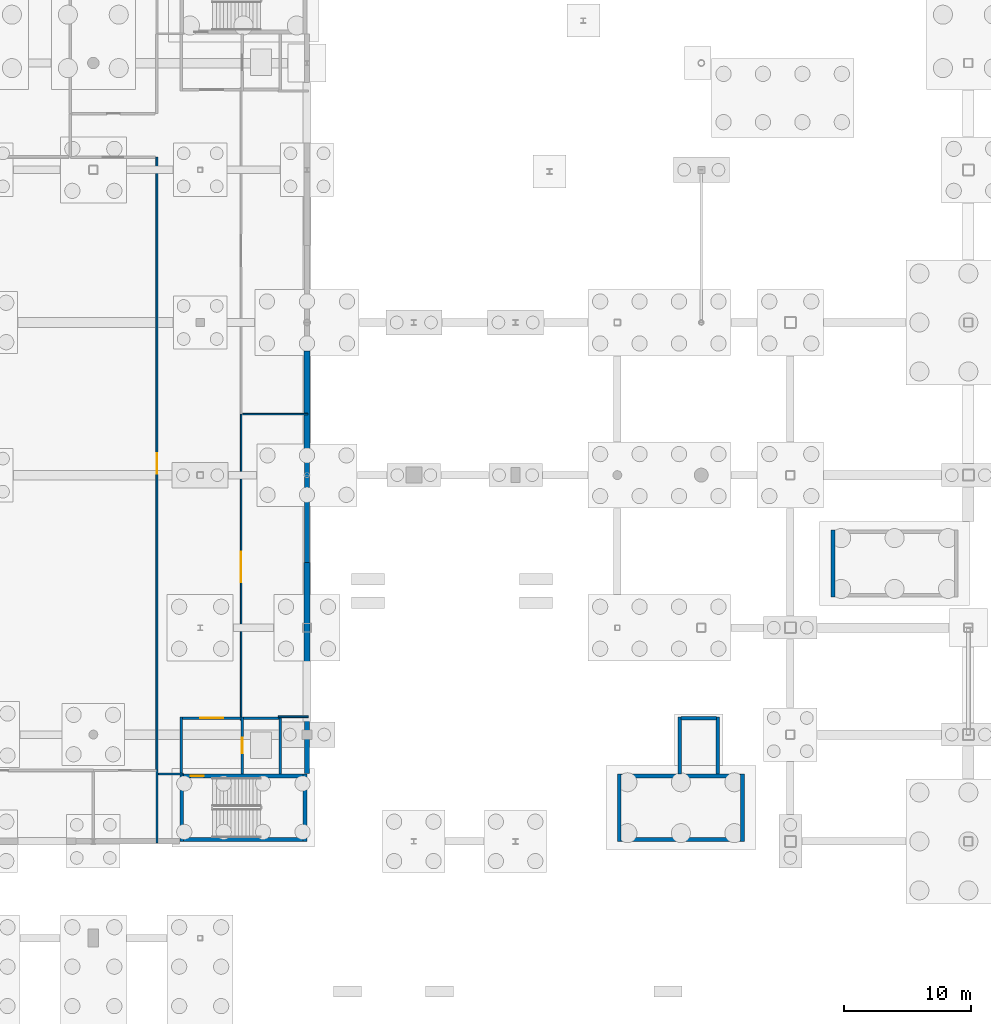
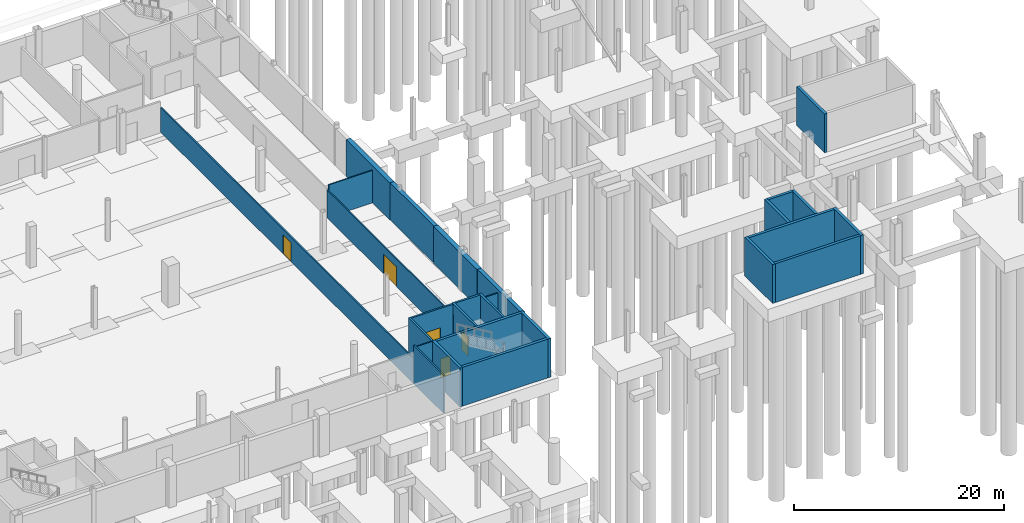
# One storey, part 26 of 34: 27 walls, 5 doors, 5 openings.
"""IFC4 building model written with IfcOpenShell, lengths in metres."""

from ifc_helpers import new_model, si_unit, direction, frame, frame_2d, origin, place, context, subcontext, project, spatial, rectangle, extrude, material, layer, layer_set, type_object, element, fill, save


model = new_model("IFC4")

# Units and contexts
model_context = context("Model", 3, precision=1e-05, world=origin(), true_north=direction((0.0, 1.0)))
body_context = subcontext(model_context, "Body", "Model", "MODEL_VIEW")
ifc_project = project(units=[si_unit("LENGTHUNIT", "METRE"), si_unit("AREAUNIT", "SQUARE_METRE"), si_unit("VOLUMEUNIT", "CUBIC_METRE"), si_unit("PLANEANGLEUNIT", "RADIAN"), si_unit("MASSUNIT", "GRAM", prefix="KILO")], contexts=[model_context])

# Site, building, storey
site_placement = place(None, origin())
site = spatial("IfcSite", under=ifc_project, at=site_placement, CompositionType="ELEMENT")
building_placement = place(site_placement, origin())
building = spatial("IfcBuilding", under=site, at=building_placement, Name="Larkvane Passage Sports Hall", CompositionType="ELEMENT")
storey_placement = place(building_placement, frame((0.0, 0.0, -4.800048828125)))
storey = spatial("IfcBuildingStorey", under=building, at=storey_placement, Name="B01", CompositionType="ELEMENT", Elevation=-4.800048828125)

# Walls
ifc_material_1 = material(Name="Concrete C50/60", Category="concrete")
ifc_layer_1 = layer(ifc_material_1, 0.300048828125)
ifc_layer_set_1 = layer_set([ifc_layer_1], Name="Concrete C50/60")
wall_type_1 = type_object("IfcWallType", Name="WL-CORE-300", PredefinedType="SHEAR", material=ifc_layer_set_1)
for number, where, z_axis, x_axis, name in (
    (1, (83.75, 22.800048828125, 0.0), (0.0, 0.0, 1.0), (0.0, 1.0, 0.0), "Core shear wall WAL-CORE-C4-B01-W"),
    (2, (93.449951171875, 28.10009765625, 0.0), (0.0, 0.0, 1.0), (0.0, -1.0, 0.0), "Core shear wall WAL-CORE-C4-B01-E"),
):
    element("IfcWall", number, at=place(storey_placement, frame(where, z_axis=z_axis, x_axis=x_axis)), inside=storey, type_object=wall_type_1, Name=name, PredefinedType="SHEAR", context=body_context, shape_type="SweptSolid", body=[
        extrude(rectangle(XDim=5.300048828125, YDim=0.300048828125, at=frame_2d((2.64990234375, 0.0))), origin(), (0.0, 0.0, 1.0), 4.510009765625),
    ])
wall_1_placement = place(storey_placement, frame((93.300048828125, 22.949951171875, 0.0), z_axis=(0.0, 0.0, 1.0), x_axis=(-1.0, 0.0, 0.0)))
element("IfcWall", 3, at=wall_1_placement, inside=storey, type_object=wall_type_1, Name="Core shear wall WAL-CORE-C4-B01-S", PredefinedType="SHEAR", context=body_context, shape_type="SweptSolid", body=[
    extrude(rectangle(XDim=9.400146484375, YDim=0.300048828125, at=frame_2d((4.7001953125, 0.0))), origin(), (0.0, 0.0, 1.0), 4.510009765625),
])

# Wall, opening, door
wall_2_placement = place(storey_placement, frame((83.89990234375, 27.949951171875, 0.0), z_axis=(0.0, 0.0, 1.0), x_axis=(1.0, 0.0, 0.0)))
wall_2 = element("IfcWall", 4, at=wall_2_placement, inside=storey, type_object=wall_type_1, Name="Core shear wall WAL-CORE-C4-B01-N", PredefinedType="SHEAR", context=body_context, shape_type="SweptSolid", body=[
    extrude(rectangle(XDim=9.400146484375, YDim=0.300048828125, at=frame_2d((4.7001953125, 0.0))), origin(), (0.0, 0.0, 1.0), 4.510009765625),
])
opening_1_placement = place(wall_2_placement, frame((0.550048828125, 0.0, 0.0)))
opening_1 = element("IfcOpeningElement", 5, at=opening_1_placement, cuts=wall_2, Name="Opening DF-01", PredefinedType="OPENING", context=body_context, shape_type="SweptSolid", body=[
    extrude(rectangle(XDim=1.050048828125, YDim=2.199951171875, at=frame_2d((0.52490234375, 1.10009765625))), frame((0.0, 0.159912109375, 0.0), z_axis=(0.0, -1.0, 0.0), x_axis=(1.0, 0.0, 0.0)), (0.0, 0.0, 1.0), 0.320068359375),
])
ifc_material_2 = material(Name="Steel S355JR smoke-sealed fire door", Category="steel")
door_type_1 = type_object("IfcDoorType", Name="DR-FIRE-1050", OperationType="NOTDEFINED", PredefinedType="DOOR", material=ifc_material_2)
door_1_placement = place(opening_1_placement, origin())
door_1 = element("IfcDoor", 6, at=door_1_placement, inside=storey, type_object=door_type_1, Name="Stair ST-04 B01 fire door", OperationType="SINGLE_SWING_LEFT", OverallHeight=2.199951171875, OverallWidth=1.050048828125, PredefinedType="DOOR", context=body_context, shape_type="SweptSolid", body=[
    extrude(rectangle(XDim=1.050048828125, YDim=2.199951171875, at=frame_2d((0.52490234375, 1.10009765625))), frame((0.0, 0.02490234375, 0.0), z_axis=(0.0, -1.0, 0.0), x_axis=(1.0, 0.0, 0.0)), (0.0, 0.0, 1.0), 0.050048828125),
])
fill(opening_1, door_1)

ifc_material_3 = material(Name="Concrete C40/50", Category="concrete")
ifc_layer_2 = layer(ifc_material_3, 0.199951171875)
ifc_layer_set_2 = layer_set([ifc_layer_2], Name="Concrete C40/50")
wall_type_2 = type_object("IfcWallType", Name="WL-LOBBY-200", PredefinedType="SOLIDWALL", material=ifc_layer_set_2)
wall_3_placement = place(storey_placement, frame((83.800048828125, 32.5, 0.0), z_axis=(0.0, 0.0, 1.0), x_axis=(1.0, 0.0, 0.0)))
wall_3 = element("IfcWall", 7, at=wall_3_placement, inside=storey, type_object=wall_type_2, Name="Protected stair lobby wall C4 B01", PredefinedType="SOLIDWALL", context=body_context, shape_type="SweptSolid", body=[
    extrude(rectangle(XDim=4.599853515625, YDim=0.199951171875, at=frame_2d((2.2998046875, 0.0))), origin(), (0.0, 0.0, 1.0), 4.449951171875),
])
opening_2_placement = place(wall_3_placement, frame((1.39990234375, 0.0, 0.0)))
opening_2 = element("IfcOpeningElement", 8, at=opening_2_placement, cuts=wall_3, Name="Opening DF-02", PredefinedType="OPENING", context=body_context, shape_type="SweptSolid", body=[
    extrude(rectangle(XDim=1.800048828125, YDim=2.199951171875, at=frame_2d((0.89990234375, 1.10009765625))), frame((0.0, 0.10986328125, 0.0), z_axis=(0.0, -1.0, 0.0), x_axis=(1.0, 0.0, 0.0)), (0.0, 0.0, 1.0), 0.219970703125),
])
ifc_material_4 = material(Name="Steel S355JR double smoke-sealed fire door", Category="steel")
door_type_2 = type_object("IfcDoorType", Name="DR-FIRE-1800", OperationType="DOUBLE_DOOR_SINGLE_SWING", PredefinedType="DOOR", material=ifc_material_4)
door_2_placement = place(opening_2_placement, origin())
door_2 = element("IfcDoor", 9, at=door_2_placement, inside=storey, type_object=door_type_2, Name="Lobby smoke door C4 B01", OperationType="DOUBLE_DOOR_SINGLE_SWING", OverallHeight=2.199951171875, OverallWidth=1.800048828125, PredefinedType="DOOR", context=body_context, shape_type="SweptSolid", body=[
    extrude(rectangle(XDim=1.800048828125, YDim=2.199951171875, at=frame_2d((0.89990234375, 1.10009765625))), frame((0.0, 0.02490234375, 0.0), z_axis=(0.0, -1.0, 0.0), x_axis=(1.0, 0.0, 0.0)), (0.0, 0.0, 1.0), 0.050048828125),
])
fill(opening_2, door_2)

# Walls
wall_4_placement = place(storey_placement, frame((83.699951171875, 28.10009765625, 0.0), z_axis=(0.0, 0.0, 1.0), x_axis=(0.0, 1.0, 0.0)))
element("IfcWall", 10, at=wall_4_placement, inside=storey, type_object=wall_type_2, Name="Lobby side wall C4 B01", PredefinedType="SOLIDWALL", context=body_context, shape_type="SweptSolid", body=[
    extrude(rectangle(XDim=4.5, YDim=0.199951171875, at=frame_2d((2.25, 0.0))), origin(), (0.0, 0.0, 1.0), 4.449951171875),
])
ifc_material_5 = material(Name="Gypsum twin-stud fire-rated partition")
ifc_layer_3 = layer(ifc_material_5, 0.125)
ifc_layer_set_3 = layer_set([ifc_layer_3], Name="Gypsum twin-stud fire-rated partition")
wall_type_3 = type_object("IfcWallType", Name="WL-PART-125", PredefinedType="PARTITIONING", material=ifc_layer_set_3)
wall_5_placement = place(storey_placement, frame((93.714111328125, 32.60009765625, 0.0), z_axis=(0.0, 0.0, 1.0), x_axis=(-1.0, 0.0, 0.0)))
element("IfcWall", 11, at=wall_5_placement, inside=storey, type_object=wall_type_3, Name="Interior partition WAL-PART-B01-0017", PredefinedType="PARTITIONING", context=body_context, shape_type="SweptSolid", body=[
    extrude(rectangle(XDim=2.3740234375, YDim=0.125, at=frame_2d((1.18701171875, 0.0))), origin(), (0.0, 0.0, 1.0), 3.920166015625),
])

# Wall, opening, door
wall_6_placement = place(storey_placement, frame((88.419921875, 32.340087890625, 0.0), z_axis=(0.0, 0.0, 1.0), x_axis=(0.0, 1.0, 0.0)))
wall_6 = element("IfcWall", 12, at=wall_6_placement, inside=storey, type_object=wall_type_3, Name="Interior partition WAL-PART-B01-0018", PredefinedType="PARTITIONING", context=body_context, shape_type="SweptSolid", body=[
    extrude(rectangle(XDim=24.059814453125, YDim=0.125, at=frame_2d((12.02978515625, 0.0))), origin(), (0.0, 0.0, 1.0), 3.219970703125),
])
opening_3_placement = place(wall_6_placement, frame((10.830078125, 0.0, 0.0)))
opening_3 = element("IfcOpeningElement", 13, at=opening_3_placement, cuts=wall_6, Name="Opening FD-01", PredefinedType="OPENING", context=body_context, shape_type="SweptSolid", body=[
    extrude(rectangle(XDim=2.39990234375, YDim=2.300048828125, at=frame_2d((1.199951171875, 1.14990234375))), frame((0.0, 0.072509765625, 0.0), z_axis=(0.0, -1.0, 0.0), x_axis=(1.0, 0.0, 0.0)), (0.0, 0.0, 1.0), 0.14501953125),
])
ifc_material_6 = material(Name="Bi-fold steel S355JR equipment store door", Category="steel")
door_type_3 = type_object("IfcDoorType", Name="DR-FOLD-2400", OperationType="FOLDING_TO_LEFT", PredefinedType="DOOR", material=ifc_material_6)
door_3_placement = place(opening_3_placement, origin())
door_3 = element("IfcDoor", 14, at=door_3_placement, inside=storey, type_object=door_type_3, Name="Interior door B01-0002", OperationType="FOLDING_TO_LEFT", OverallHeight=2.300048828125, OverallWidth=2.39990234375, PredefinedType="DOOR", context=body_context, shape_type="SweptSolid", body=[
    extrude(rectangle(XDim=2.39990234375, YDim=2.300048828125, at=frame_2d((1.199951171875, 1.14990234375))), frame((0.0, 0.02490234375, 0.0), z_axis=(0.0, -1.0, 0.0), x_axis=(1.0, 0.0, 0.0)), (0.0, 0.0, 1.0), 0.050048828125),
])
fill(opening_3, door_3)

# Walls
wall_7_placement = place(storey_placement, frame((88.5400390625, 56.39990234375, 0.0), z_axis=(0.0, 0.0, 1.0), x_axis=(1.0, 0.0, 0.0)))
element("IfcWall", 15, at=wall_7_placement, inside=storey, type_object=wall_type_3, Name="Interior partition WAL-PART-B01-0019", PredefinedType="PARTITIONING", context=body_context, shape_type="SweptSolid", body=[
    extrude(rectangle(XDim=5.134033203125, YDim=0.125, at=frame_2d((2.56689453125, 0.0))), origin(), (0.0, 0.0, 1.0), 3.77001953125),
])
wall_8_placement = place(storey_placement, frame((83.860107421875, 28.10009765625, 0.0), z_axis=(0.0, 0.0, 1.0), x_axis=(-1.0, 0.0, 0.0)))
element("IfcWall", 16, at=wall_8_placement, inside=storey, type_object=wall_type_3, Name="Interior partition WAL-PART-B01-0034", PredefinedType="PARTITIONING", context=body_context, shape_type="SweptSolid", body=[
    extrude(rectangle(XDim=1.940185546875, YDim=0.125, at=frame_2d((0.97021484375, 0.0))), origin(), (0.0, 0.0, 1.0), 4.449951171875),
])

# Wall, opening, door
ifc_material_7 = material(Name="Gypsum acoustic partition")
ifc_layer_4 = layer(ifc_material_7, 0.14990234375)
ifc_layer_set_4 = layer_set([ifc_layer_4], Name="Gypsum acoustic partition")
wall_type_4 = type_object("IfcWallType", Name="WL-PART-150", PredefinedType="PARTITIONING", material=ifc_layer_set_4)
wall_9_placement = place(storey_placement, frame((81.800048828125, 28.39990234375, 0.0), z_axis=(0.0, 0.0, 1.0), x_axis=(0.0, 1.0, 0.0)))
wall_9 = element("IfcWall", 17, at=wall_9_placement, inside=storey, type_object=wall_type_4, Name="Interior partition WAL-PART-B01-0035", PredefinedType="PARTITIONING", context=body_context, shape_type="SweptSolid", body=[
    extrude(rectangle(XDim=48.2001953125, YDim=0.14990234375, at=frame_2d((24.10009765625, 0.0))), origin(), (0.0, 0.0, 1.0), 2.8701171875),
])
opening_4_placement = place(wall_9_placement, frame((23.300048828125, 0.0, 0.0)))
opening_4 = element("IfcOpeningElement", 18, at=opening_4_placement, cuts=wall_9, Name="Opening DI-03", PredefinedType="OPENING", context=body_context, shape_type="SweptSolid", body=[
    extrude(rectangle(XDim=1.60009765625, YDim=2.199951171875, at=frame_2d((0.800048828125, 1.10009765625))), frame((0.0, 0.0849609375, 0.0), z_axis=(0.0, -1.0, 0.0), x_axis=(1.0, 0.0, 0.0)), (0.0, 0.0, 1.0), 0.169921875),
])
ifc_material_8 = material(Name="Glazed aluminium studio double door", Category="aluminium")
door_type_4 = type_object("IfcDoorType", Name="DR-INT-1600", OperationType="DOUBLE_DOOR_SINGLE_SWING", PredefinedType="DOOR", material=ifc_material_8)
door_4_placement = place(opening_4_placement, origin())
door_4 = element("IfcDoor", 19, at=door_4_placement, inside=storey, type_object=door_type_4, Name="Interior door B01-0012", OperationType="DOUBLE_DOOR_SINGLE_SWING", OverallHeight=2.199951171875, OverallWidth=1.60009765625, PredefinedType="DOOR", context=body_context, shape_type="SweptSolid", body=[
    extrude(rectangle(XDim=1.60009765625, YDim=2.199951171875, at=frame_2d((0.800048828125, 1.10009765625))), frame((0.0, 0.02490234375, 0.0), z_axis=(0.0, -1.0, 0.0), x_axis=(1.0, 0.0, 0.0)), (0.0, 0.0, 1.0), 0.050048828125),
])
fill(opening_4, door_4)

# Walls
ifc_material_9 = material(Name="Moisture-resistant shaftliner partition")
ifc_layer_5 = layer(ifc_material_9, 0.175048828125)
ifc_layer_set_5 = layer_set([ifc_layer_5], Name="Moisture-resistant shaftliner partition")
wall_type_5 = type_object("IfcWallType", Name="WL-PLUMB-175", PredefinedType="PLUMBINGWALL", material=ifc_layer_set_5)
wall_10_placement = place(storey_placement, frame((81.800048828125, 28.39990234375, 0.0), z_axis=(0.0, 0.0, 1.0), x_axis=(0.0, -1.0, 0.0)))
element("IfcWall", 20, at=wall_10_placement, inside=storey, type_object=wall_type_5, Name="Interior partition WAL-PART-B01-0023", PredefinedType="PLUMBINGWALL", context=body_context, shape_type="SweptSolid", body=[
    extrude(rectangle(XDim=5.7138671875, YDim=0.175048828125, at=frame_2d((2.85693359375, 0.0))), origin(), (0.0, 0.0, 1.0), 4.449951171875),
])
ifc_layer_6 = layer(ifc_material_1, 0.300048828125)
ifc_layer_set_6 = layer_set([ifc_layer_6], Name="Concrete C50/60")
wall_type_6 = type_object("IfcWallType", Name="WL-RAMP-300", PredefinedType="SHEAR", material=ifc_layer_set_6)
for number, where, z_axis, x_axis, name in (
    (21, (118.14990234375, 22.800048828125, 0.0), (0.0, 0.0, 1.0), (0.0, 1.0, 0.0), "Core foundation plinth wall C5 B01 W"),
    (22, (127.85009765625, 28.10009765625, 0.0), (0.0, 0.0, 1.0), (0.0, -1.0, 0.0), "Core foundation plinth wall C5 B01 E"),
):
    element("IfcWall", number, at=place(storey_placement, frame(where, z_axis=z_axis, x_axis=x_axis)), inside=storey, type_object=wall_type_6, Name=name, PredefinedType="SHEAR", context=body_context, shape_type="SweptSolid", body=[
        extrude(rectangle(XDim=5.300048828125, YDim=0.300048828125, at=frame_2d((2.64990234375, 0.0))), origin(), (0.0, 0.0, 1.0), 4.510009765625),
    ])
for number, where, z_axis, x_axis, name in (
    (23, (127.699951171875, 22.949951171875, 0.0), (0.0, 0.0, 1.0), (-1.0, 0.0, 0.0), "Core foundation plinth wall C5 B01 S"),
    (24, (118.300048828125, 27.949951171875, 0.0), (0.0, 0.0, 1.0), (1.0, 0.0, 0.0), "Core foundation plinth wall C5 B01 N"),
):
    element("IfcWall", number, at=place(storey_placement, frame(where, z_axis=z_axis, x_axis=x_axis)), inside=storey, type_object=wall_type_6, Name=name, PredefinedType="SHEAR", context=body_context, shape_type="SweptSolid", body=[
        extrude(rectangle(XDim=9.39990234375, YDim=0.300048828125, at=frame_2d((4.699951171875, 0.0))), origin(), (0.0, 0.0, 1.0), 4.510009765625),
    ])
wall_11_placement = place(storey_placement, frame((134.949951171875, 42.0, 0.0), z_axis=(0.0, 0.0, 1.0), x_axis=(0.0, 1.0, 0.0)))
element("IfcWall", 25, at=wall_11_placement, inside=storey, type_object=wall_type_6, Name="Core foundation plinth wall C7 B01 W", PredefinedType="SHEAR", context=body_context, shape_type="SweptSolid", body=[
    extrude(rectangle(XDim=5.300048828125, YDim=0.300048828125, at=frame_2d((2.64990234375, 0.0))), origin(), (0.0, 0.0, 1.0), 4.510009765625),
])
for number, where, z_axis, x_axis, name in (
    (26, (122.909912109375, 28.10009765625, 0.0), (0.0, 0.0, 1.0), (0.0, 1.0, 0.0), "Lift shaft foundation plinth wall FL-02 B01 W"),
    (27, (125.889892578125, 28.10009765625, 0.0), (0.0, 0.0, 1.0), (0.0, 1.0, 0.0), "Lift shaft foundation plinth wall FL-02 B01 E"),
):
    element("IfcWall", number, at=place(storey_placement, frame(where, z_axis=z_axis, x_axis=x_axis)), inside=storey, type_object=wall_type_6, Name=name, PredefinedType="SHEAR", context=body_context, shape_type="SweptSolid", body=[
        extrude(rectangle(XDim=4.5, YDim=0.300048828125, at=frame_2d((2.25, 0.0))), origin(), (0.0, 0.0, 1.0), 4.510009765625),
    ])
wall_12_placement = place(storey_placement, frame((123.02001953125, 32.489990234375, 0.0), z_axis=(0.0, 0.0, 1.0), x_axis=(1.0, 0.0, 0.0)))
element("IfcWall", 28, at=wall_12_placement, inside=storey, type_object=wall_type_6, Name="Lift shaft foundation plinth wall FL-02 B01 N", PredefinedType="SHEAR", context=body_context, shape_type="SweptSolid", body=[
    extrude(rectangle(XDim=2.760009765625, YDim=0.300048828125, at=frame_2d((1.3798828125, 0.0))), origin(), (0.0, 0.0, 1.0), 4.510009765625),
])
ifc_layer_7 = layer(ifc_material_3, 0.419921875)
ifc_layer_set_7 = layer_set([ifc_layer_7], Name="Concrete C40/50")
wall_type_7 = type_object("IfcWallType", Name="WL-RET-420", PredefinedType="USERDEFINED", material=ifc_layer_set_7)
for number, where, z_axis, x_axis, name in (
    (29, (93.60009765625, 28.1201171875, 0.0), (0.0, 0.0, 1.0), (0.0, 1.0, 0.0), "Basement retaining wall B01-010"),
    (30, (93.60009765625, 44.737060546875, 0.0), (0.0, 0.0, 1.0), (0.0, 1.0, 0.0), "Basement retaining wall B01-012"),
):
    element("IfcWall", number, at=place(storey_placement, frame(where, z_axis=z_axis, x_axis=x_axis)), inside=storey, type_object=wall_type_7, Name=name, ObjectType="RETAININGWALL", PredefinedType="USERDEFINED", context=body_context, shape_type="SweptSolid", body=[
        extrude(rectangle(XDim=8.30859375, YDim=0.419921875, at=frame_2d((4.154296875, 0.0))), origin(), (0.0, 0.0, 1.0), 4.320068359375),
    ])
ifc_layer_8 = layer(ifc_material_3, 0.5)
ifc_layer_set_8 = layer_set([ifc_layer_8], Name="Concrete C40/50")
wall_type_8 = type_object("IfcWallType", Name="WL-RET-500", PredefinedType="USERDEFINED", material=ifc_layer_set_8)
wall_13_placement = place(storey_placement, frame((93.60009765625, 36.4287109375, 0.0), z_axis=(0.0, 0.0, 1.0), x_axis=(0.0, 1.0, 0.0)))
element("IfcWall", 31, at=wall_13_placement, inside=storey, type_object=wall_type_8, Name="Basement retaining wall B01-011", ObjectType="RETAININGWALL", PredefinedType="USERDEFINED", context=body_context, shape_type="SweptSolid", body=[
    extrude(rectangle(XDim=8.308349609375, YDim=0.5, at=frame_2d((4.154296875, 0.0))), origin(), (0.0, 0.0, 1.0), 4.320068359375),
])
wall_14_placement = place(storey_placement, frame((93.60009765625, 53.045654296875, 0.0), z_axis=(0.0, 0.0, 1.0), x_axis=(0.0, 1.0, 0.0)))
element("IfcWall", 32, at=wall_14_placement, inside=storey, type_object=wall_type_8, Name="Basement retaining wall B01-013", ObjectType="RETAININGWALL", PredefinedType="USERDEFINED", context=body_context, shape_type="SweptSolid", body=[
    extrude(rectangle(XDim=8.30859375, YDim=0.5, at=frame_2d((4.154296875, 0.0))), origin(), (0.0, 0.0, 1.0), 4.320068359375),
])

# Wall, opening, door
ifc_layer_9 = layer(ifc_material_3, 0.219970703125)
ifc_layer_set_9 = layer_set([ifc_layer_9], Name="Concrete C40/50")
wall_type_9 = type_object("IfcWallType", Name="WL-SHAFT-220", PredefinedType="SOLIDWALL", material=ifc_layer_set_9)
wall_15_placement = place(storey_placement, frame((88.510009765625, 28.10009765625, 0.0), z_axis=(0.0, 0.0, 1.0), x_axis=(0.0, 1.0, 0.0)))
wall_15 = element("IfcWall", 33, at=wall_15_placement, inside=storey, type_object=wall_type_9, Name="Lift shaft front wall L-05 B01", PredefinedType="SOLIDWALL", context=body_context, shape_type="SweptSolid", body=[
    extrude(rectangle(XDim=4.5, YDim=0.219970703125, at=frame_2d((2.25, 0.0))), origin(), (0.0, 0.0, 1.0), 4.510009765625),
])
opening_5_placement = place(wall_15_placement, frame((1.64990234375, 0.0, 0.0)))
opening_5 = element("IfcOpeningElement", 34, at=opening_5_placement, cuts=wall_15, Name="Opening LD-01", PredefinedType="OPENING", context=body_context, shape_type="SweptSolid", body=[
    extrude(rectangle(XDim=1.199951171875, YDim=2.199951171875, at=frame_2d((0.60009765625, 1.10009765625))), frame((0.0, 0.119873046875, 0.0), z_axis=(0.0, -1.0, 0.0), x_axis=(1.0, 0.0, 0.0)), (0.0, 0.0, 1.0), 0.239990234375),
])
ifc_material_10 = material(Name="Stainless steel S355JR lift landing door", Category="steel")
door_type_5 = type_object("IfcDoorType", Name="DR-LIFT-1200", OperationType="SLIDING_TO_LEFT", PredefinedType="DOOR", material=ifc_material_10)
door_5_placement = place(opening_5_placement, origin())
door_5 = element("IfcDoor", 35, at=door_5_placement, inside=storey, type_object=door_type_5, Name="Lift landing door L-05 B01", OperationType="SLIDING_TO_LEFT", OverallHeight=2.199951171875, OverallWidth=1.199951171875, PredefinedType="DOOR", context=body_context, shape_type="SweptSolid", body=[
    extrude(rectangle(XDim=1.199951171875, YDim=2.199951171875, at=frame_2d((0.60009765625, 1.10009765625))), frame((0.0, 0.02490234375, 0.0), z_axis=(0.0, -1.0, 0.0), x_axis=(1.0, 0.0, 0.0)), (0.0, 0.0, 1.0), 0.050048828125),
])
fill(opening_5, door_5)

# Walls
wall_16_placement = place(storey_placement, frame((91.489990234375, 28.10009765625, 0.0), z_axis=(0.0, 0.0, 1.0), x_axis=(0.0, 1.0, 0.0)))
element("IfcWall", 36, at=wall_16_placement, inside=storey, type_object=wall_type_9, Name="Lift shaft rear wall L-05 B01", PredefinedType="SOLIDWALL", context=body_context, shape_type="SweptSolid", body=[
    extrude(rectangle(XDim=4.5, YDim=0.219970703125, at=frame_2d((2.25, 0.0))), origin(), (0.0, 0.0, 1.0), 4.510009765625),
])
wall_17_placement = place(storey_placement, frame((88.6201171875, 32.489990234375, 0.0), z_axis=(0.0, 0.0, 1.0), x_axis=(1.0, 0.0, 0.0)))
element("IfcWall", 37, at=wall_17_placement, inside=storey, type_object=wall_type_9, Name="Lift shaft end wall L-05 B01", PredefinedType="SOLIDWALL", context=body_context, shape_type="SweptSolid", body=[
    extrude(rectangle(XDim=2.759765625, YDim=0.219970703125, at=frame_2d((1.3798828125, 0.0))), origin(), (0.0, 0.0, 1.0), 4.510009765625),
])

save(model, "model.ifc")
